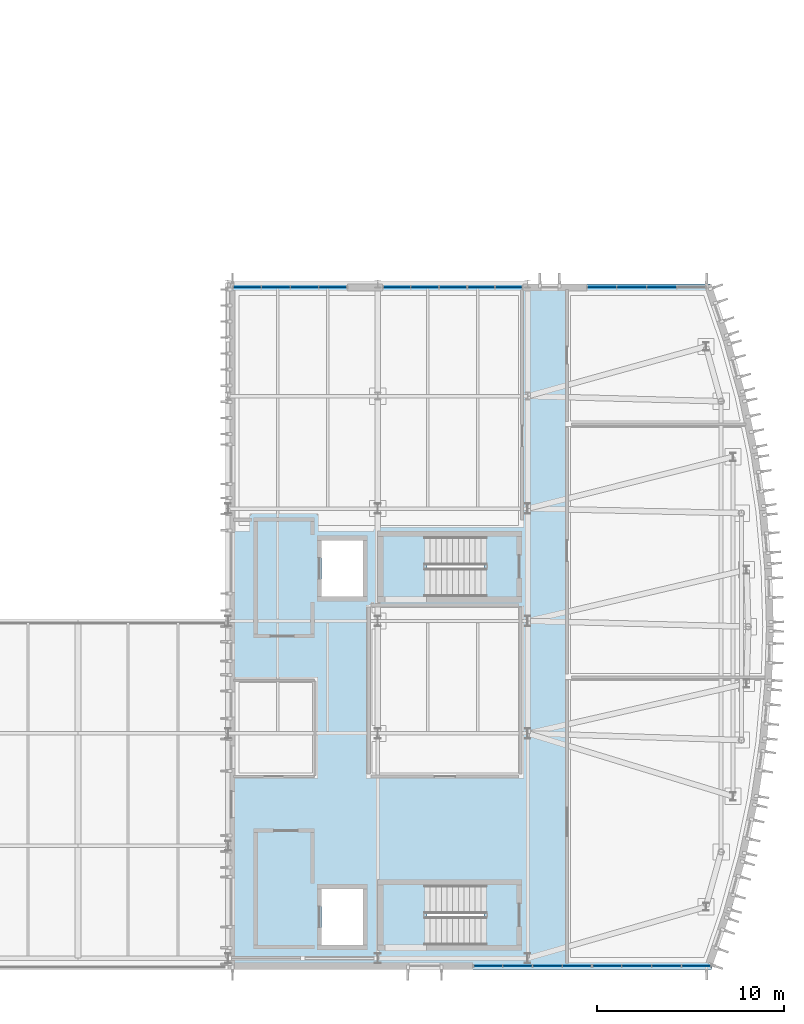
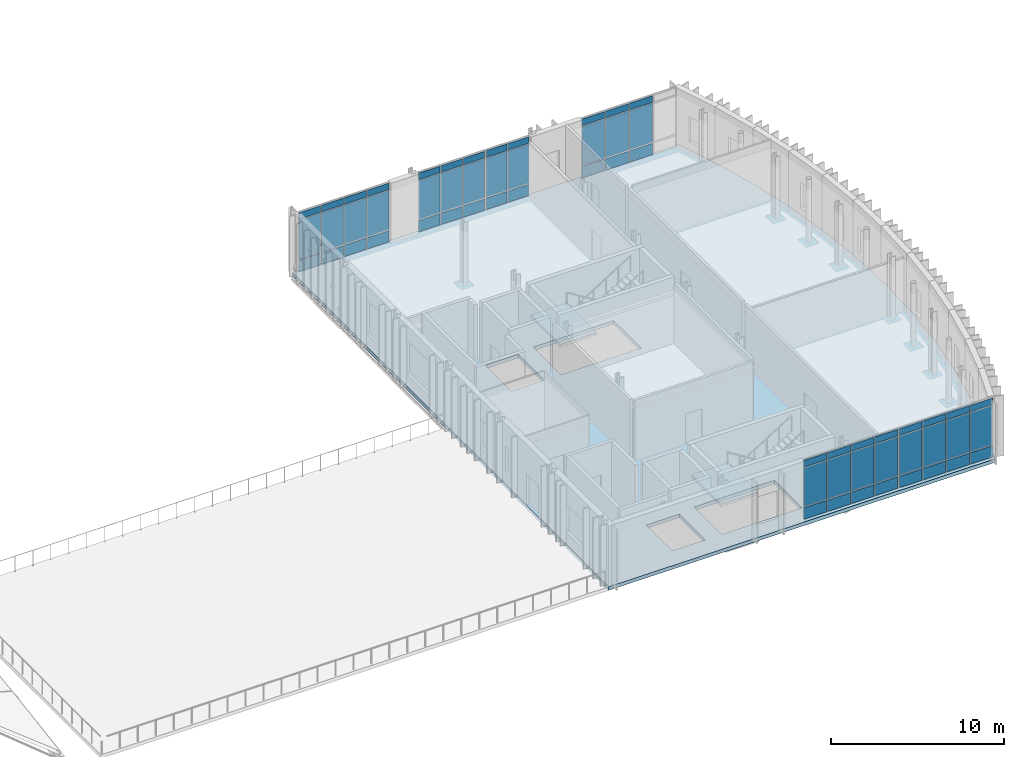
# One storey, part 36 of 62: 60 plates, 3 slabs, 8 elements without a shape of their own.
"""IFC4 building model written with IfcOpenShell, lengths in metres."""

from ifc_helpers import new_model, si_unit, direction, frame, origin, origin_2d, place, context, subcontext, project, spatial, polyline, rectangle, outline, extrude, material, layer, layer_set, type_object, element, aggregate, save


model = new_model("IFC4")

# Units and contexts
model_context = context("Model", 3, precision=1e-05, world=origin(), true_north=direction((0.0, 1.0)))
body_context = subcontext(model_context, "Body", "Model", "MODEL_VIEW")
ifc_project = project(units=[si_unit("LENGTHUNIT", "METRE"), si_unit("AREAUNIT", "SQUARE_METRE"), si_unit("VOLUMEUNIT", "CUBIC_METRE"), si_unit("PLANEANGLEUNIT", "RADIAN"), si_unit("MASSUNIT", "GRAM", prefix="KILO")], contexts=[model_context])

# Site, building, storey
site_placement = place(None, origin())
site = spatial("IfcSite", under=ifc_project, at=site_placement, CompositionType="ELEMENT")
building_placement = place(site_placement, origin())
building = spatial("IfcBuilding", under=site, at=building_placement, Name="Cymarion Research Institute", CompositionType="ELEMENT")
storey_placement = place(building_placement, frame((0.0, 0.0, 18.300048828125)))
storey = spatial("IfcBuildingStorey", under=building, at=storey_placement, Name="L04", CompositionType="ELEMENT", Elevation=18.300048828125)

# Slab
ifc_material_1 = material(Name="Concrete C35/45", Category="concrete")
ifc_layer_1 = layer(ifc_material_1, 0.25)
ifc_layer_set_1 = layer_set([ifc_layer_1], Name="Concrete C35/45")
slab_type_1 = type_object("IfcSlabType", Name="COMPOSITE FLOOR SLAB SL-FL250 250MM", PredefinedType="FLOOR", material=ifc_layer_set_1)
slab_1_placement = place(storey_placement, frame((0.0, 0.0, -0.25)))
element("IfcSlab", 1, at=slab_1_placement, inside=storey, type_object=slab_type_1, Name="L04 V1 floor slab", PredefinedType="FLOOR", context=body_context, shape_type="SweptSolid", body=[
    extrude(outline(polyline([(138.60009765625, 4.89990234375), (164.39990234375, 4.89990234375), (165.40869140625, 7.848388671875), (166.2392578125, 10.85205078125), (166.88818359375, 13.900146484375), (167.353271484375, 16.9814453125), (167.633056640625, 20.085205078125), (167.7265625, 23.199951171875), (167.633056640625, 26.31494140625), (167.353271484375, 29.418701171875), (166.88818359375, 32.5), (166.2392578125, 35.5478515625), (165.40869140625, 38.551513671875), (164.39990234375, 41.5), (138.60009765625, 41.5), (138.60009765625, 4.89990234375)]), holes=[polyline([(152.260009765625, 9.39990234375), (146.89990234375, 9.39990234375), (146.89990234375, 6.199951171875), (152.260009765625, 6.199951171875), (152.260009765625, 9.39990234375)]), polyline([(143.60009765625, 6.199951171875), (145.800048828125, 6.199951171875), (145.800048828125, 9.199951171875), (143.60009765625, 9.199951171875), (143.60009765625, 6.199951171875)]), polyline([(152.260009765625, 28.0), (146.89990234375, 28.0), (146.89990234375, 24.800048828125), (152.260009765625, 24.800048828125), (152.260009765625, 28.0)]), polyline([(143.60009765625, 24.800048828125), (145.800048828125, 24.800048828125), (145.800048828125, 27.800048828125), (143.60009765625, 27.800048828125), (143.60009765625, 24.800048828125)])]), origin(), (0.0, 0.0, 1.0), 0.25),
])

# Curtain wall, plates
ifc_material_2 = material(Name="Anodised aluminium unitised curtain wall with Low-E glazing", Category="aluminium")
curtain_wall_type_1 = type_object("IfcCurtainWallType", Name="UNITISED CURTAIN WALL CW35 6360X4280", PredefinedType="NOTDEFINED", material=ifc_material_2)
curtain_wall_1_placement = place(storey_placement, origin())
curtain_wall_1 = element("IfcCurtainWall", 2, at=curtain_wall_1_placement, inside=storey, type_object=curtain_wall_type_1, Name="L04 V1 unitised curtain wall CW35 #171", PredefinedType="NOTDEFINED")
ifc_material_3 = material(Name="Insulated anodised aluminium spandrel panel", Category="aluminium")
ifc_layer_2 = layer(ifc_material_3, 0.06005859375)
ifc_layer_set_2 = layer_set([ifc_layer_2], Name="Insulated anodised aluminium spandrel panel")
plate_type_1 = type_object("IfcPlateType", Name="INSULATED ALUMINIUM SPANDREL PANEL SP01 60MM", PredefinedType="SHEET", material=ifc_layer_set_2)
plate_1_placement = place(storey_placement, frame((152.490966796875, 5.090087890625, 0.059814453125), z_axis=(0.0, 0.0, 1.0), x_axis=(1.0, 0.0, 0.0)))
plate_1 = element("IfcPlate", 3, at=plate_1_placement, type_object=plate_type_1, Name="CW35 panel 1.1", PredefinedType="SHEET", context=body_context, shape_type="SweptSolid", body=[
    extrude(rectangle(XDim=1.499755859375, YDim=0.06005859375, at=origin_2d()), origin(), (0.0, 0.0, 1.0), 0.81005859375),
])
plate_2_placement = place(storey_placement, frame((152.490966796875, 5.090087890625, 3.760009765625), z_axis=(0.0, 0.0, 1.0), x_axis=(1.0, 0.0, 0.0)))
plate_2 = element("IfcPlate", 4, at=plate_2_placement, type_object=plate_type_1, Name="CW35 panel 1.3", PredefinedType="SHEET", context=body_context, shape_type="SweptSolid", body=[
    extrude(rectangle(XDim=1.499755859375, YDim=0.06005859375, at=origin_2d()), origin(), (0.0, 0.0, 1.0), 0.4599609375),
])
plate_3_placement = place(storey_placement, frame((154.06591796875, 5.090087890625, 0.059814453125), z_axis=(0.0, 0.0, 1.0), x_axis=(1.0, 0.0, 0.0)))
plate_3 = element("IfcPlate", 5, at=plate_3_placement, type_object=plate_type_1, Name="CW35 panel 2.1", PredefinedType="SHEET", context=body_context, shape_type="SweptSolid", body=[
    extrude(rectangle(XDim=1.52978515625, YDim=0.06005859375, at=origin_2d()), origin(), (0.0, 0.0, 1.0), 0.81005859375),
])
plate_4_placement = place(storey_placement, frame((154.06591796875, 5.090087890625, 3.760009765625), z_axis=(0.0, 0.0, 1.0), x_axis=(1.0, 0.0, 0.0)))
plate_4 = element("IfcPlate", 6, at=plate_4_placement, type_object=plate_type_1, Name="CW35 panel 2.3", PredefinedType="SHEET", context=body_context, shape_type="SweptSolid", body=[
    extrude(rectangle(XDim=1.52978515625, YDim=0.06005859375, at=origin_2d()), origin(), (0.0, 0.0, 1.0), 0.4599609375),
])
plate_5_placement = place(storey_placement, frame((155.65576171875, 5.090087890625, 0.059814453125), z_axis=(0.0, 0.0, 1.0), x_axis=(1.0, 0.0, 0.0)))
plate_5 = element("IfcPlate", 7, at=plate_5_placement, type_object=plate_type_1, Name="CW35 panel 3.1", PredefinedType="SHEET", context=body_context, shape_type="SweptSolid", body=[
    extrude(rectangle(XDim=1.52978515625, YDim=0.06005859375, at=origin_2d()), origin(), (0.0, 0.0, 1.0), 0.81005859375),
])
plate_6_placement = place(storey_placement, frame((155.65576171875, 5.090087890625, 3.760009765625), z_axis=(0.0, 0.0, 1.0), x_axis=(1.0, 0.0, 0.0)))
plate_6 = element("IfcPlate", 8, at=plate_6_placement, type_object=plate_type_1, Name="CW35 panel 3.3", PredefinedType="SHEET", context=body_context, shape_type="SweptSolid", body=[
    extrude(rectangle(XDim=1.52978515625, YDim=0.06005859375, at=origin_2d()), origin(), (0.0, 0.0, 1.0), 0.4599609375),
])
plate_7_placement = place(storey_placement, frame((157.23046875, 5.090087890625, 0.059814453125), z_axis=(0.0, 0.0, 1.0), x_axis=(1.0, 0.0, 0.0)))
plate_7 = element("IfcPlate", 9, at=plate_7_placement, type_object=plate_type_1, Name="CW35 panel 4.1", PredefinedType="SHEET", context=body_context, shape_type="SweptSolid", body=[
    extrude(rectangle(XDim=1.499755859375, YDim=0.06005859375, at=origin_2d()), origin(), (0.0, 0.0, 1.0), 0.81005859375),
])
plate_8_placement = place(storey_placement, frame((157.23046875, 5.090087890625, 3.760009765625), z_axis=(0.0, 0.0, 1.0), x_axis=(1.0, 0.0, 0.0)))
plate_8 = element("IfcPlate", 10, at=plate_8_placement, type_object=plate_type_1, Name="CW35 panel 4.3", PredefinedType="SHEET", context=body_context, shape_type="SweptSolid", body=[
    extrude(rectangle(XDim=1.499755859375, YDim=0.06005859375, at=origin_2d()), origin(), (0.0, 0.0, 1.0), 0.4599609375),
])

curtain_wall_2_placement = place(storey_placement, origin())
curtain_wall_2 = element("IfcCurtainWall", 11, at=curtain_wall_2_placement, inside=storey, type_object=curtain_wall_type_1, Name="L04 V1 unitised curtain wall CW35 #172", PredefinedType="NOTDEFINED")
plate_9_placement = place(storey_placement, frame((158.850341796875, 5.090087890625, 0.059814453125), z_axis=(0.0, 0.0, 1.0), x_axis=(1.0, 0.0, 0.0)))
plate_9 = element("IfcPlate", 12, at=plate_9_placement, type_object=plate_type_1, Name="CW35 panel 1.1", PredefinedType="SHEET", context=body_context, shape_type="SweptSolid", body=[
    extrude(rectangle(XDim=1.499755859375, YDim=0.06005859375, at=origin_2d()), origin(), (0.0, 0.0, 1.0), 0.81005859375),
])
plate_10_placement = place(storey_placement, frame((158.850341796875, 5.090087890625, 3.760009765625), z_axis=(0.0, 0.0, 1.0), x_axis=(1.0, 0.0, 0.0)))
plate_10 = element("IfcPlate", 13, at=plate_10_placement, type_object=plate_type_1, Name="CW35 panel 1.3", PredefinedType="SHEET", context=body_context, shape_type="SweptSolid", body=[
    extrude(rectangle(XDim=1.499755859375, YDim=0.06005859375, at=origin_2d()), origin(), (0.0, 0.0, 1.0), 0.4599609375),
])
plate_11_placement = place(storey_placement, frame((160.42529296875, 5.090087890625, 0.059814453125), z_axis=(0.0, 0.0, 1.0), x_axis=(1.0, 0.0, 0.0)))
plate_11 = element("IfcPlate", 14, at=plate_11_placement, type_object=plate_type_1, Name="CW35 panel 2.1", PredefinedType="SHEET", context=body_context, shape_type="SweptSolid", body=[
    extrude(rectangle(XDim=1.52978515625, YDim=0.06005859375, at=origin_2d()), origin(), (0.0, 0.0, 1.0), 0.81005859375),
])
plate_12_placement = place(storey_placement, frame((160.42529296875, 5.090087890625, 3.760009765625), z_axis=(0.0, 0.0, 1.0), x_axis=(1.0, 0.0, 0.0)))
plate_12 = element("IfcPlate", 15, at=plate_12_placement, type_object=plate_type_1, Name="CW35 panel 2.3", PredefinedType="SHEET", context=body_context, shape_type="SweptSolid", body=[
    extrude(rectangle(XDim=1.52978515625, YDim=0.06005859375, at=origin_2d()), origin(), (0.0, 0.0, 1.0), 0.4599609375),
])
plate_13_placement = place(storey_placement, frame((162.01513671875, 5.090087890625, 0.059814453125), z_axis=(0.0, 0.0, 1.0), x_axis=(1.0, 0.0, 0.0)))
plate_13 = element("IfcPlate", 16, at=plate_13_placement, type_object=plate_type_1, Name="CW35 panel 3.1", PredefinedType="SHEET", context=body_context, shape_type="SweptSolid", body=[
    extrude(rectangle(XDim=1.52978515625, YDim=0.06005859375, at=origin_2d()), origin(), (0.0, 0.0, 1.0), 0.81005859375),
])
plate_14_placement = place(storey_placement, frame((162.01513671875, 5.090087890625, 3.760009765625), z_axis=(0.0, 0.0, 1.0), x_axis=(1.0, 0.0, 0.0)))
plate_14 = element("IfcPlate", 17, at=plate_14_placement, type_object=plate_type_1, Name="CW35 panel 3.3", PredefinedType="SHEET", context=body_context, shape_type="SweptSolid", body=[
    extrude(rectangle(XDim=1.52978515625, YDim=0.06005859375, at=origin_2d()), origin(), (0.0, 0.0, 1.0), 0.4599609375),
])
plate_15_placement = place(storey_placement, frame((163.590087890625, 5.090087890625, 0.059814453125), z_axis=(0.0, 0.0, 1.0), x_axis=(1.0, 0.0, 0.0)))
plate_15 = element("IfcPlate", 18, at=plate_15_placement, type_object=plate_type_1, Name="CW35 panel 4.1", PredefinedType="SHEET", context=body_context, shape_type="SweptSolid", body=[
    extrude(rectangle(XDim=1.499755859375, YDim=0.06005859375, at=origin_2d()), origin(), (0.0, 0.0, 1.0), 0.81005859375),
])
plate_16_placement = place(storey_placement, frame((163.590087890625, 5.090087890625, 3.760009765625), z_axis=(0.0, 0.0, 1.0), x_axis=(1.0, 0.0, 0.0)))
plate_16 = element("IfcPlate", 19, at=plate_16_placement, type_object=plate_type_1, Name="CW35 panel 4.3", PredefinedType="SHEET", context=body_context, shape_type="SweptSolid", body=[
    extrude(rectangle(XDim=1.499755859375, YDim=0.06005859375, at=origin_2d()), origin(), (0.0, 0.0, 1.0), 0.4599609375),
])

curtain_wall_type_2 = type_object("IfcCurtainWallType", Name="UNITISED CURTAIN WALL CW36 6390X4280", PredefinedType="NOTDEFINED", material=ifc_material_2)
curtain_wall_3_placement = place(storey_placement, origin())
curtain_wall_3 = element("IfcCurtainWall", 20, at=curtain_wall_3_placement, inside=storey, type_object=curtain_wall_type_2, Name="L04 V1 unitised curtain wall CW36 #173", PredefinedType="NOTDEFINED")
plate_17_placement = place(storey_placement, frame((161.75146484375, 41.31005859375, 0.059814453125), z_axis=(0.0, 0.0, 1.0), x_axis=(-1.0, 0.0, 0.0)))
plate_17 = element("IfcPlate", 21, at=plate_17_placement, type_object=plate_type_1, Name="CW36 panel 2.1", PredefinedType="SHEET", context=body_context, shape_type="SweptSolid", body=[
    extrude(rectangle(XDim=1.53662109375, YDim=0.06005859375, at=origin_2d()), origin(), (0.0, 0.0, 1.0), 0.81005859375),
])
plate_18_placement = place(storey_placement, frame((161.75146484375, 41.31005859375, 3.760009765625), z_axis=(0.0, 0.0, 1.0), x_axis=(-1.0, 0.0, 0.0)))
plate_18 = element("IfcPlate", 22, at=plate_18_placement, type_object=plate_type_1, Name="CW36 panel 2.3", PredefinedType="SHEET", context=body_context, shape_type="SweptSolid", body=[
    extrude(rectangle(XDim=1.53662109375, YDim=0.06005859375, at=origin_2d()), origin(), (0.0, 0.0, 1.0), 0.4599609375),
])
plate_19_placement = place(storey_placement, frame((160.15478515625, 41.31005859375, 0.059814453125), z_axis=(0.0, 0.0, 1.0), x_axis=(-1.0, 0.0, 0.0)))
plate_19 = element("IfcPlate", 23, at=plate_19_placement, type_object=plate_type_1, Name="CW36 panel 3.1", PredefinedType="SHEET", context=body_context, shape_type="SweptSolid", body=[
    extrude(rectangle(XDim=1.53662109375, YDim=0.06005859375, at=origin_2d()), origin(), (0.0, 0.0, 1.0), 0.81005859375),
])
plate_20_placement = place(storey_placement, frame((160.15478515625, 41.31005859375, 3.760009765625), z_axis=(0.0, 0.0, 1.0), x_axis=(-1.0, 0.0, 0.0)))
plate_20 = element("IfcPlate", 24, at=plate_20_placement, type_object=plate_type_1, Name="CW36 panel 3.3", PredefinedType="SHEET", context=body_context, shape_type="SweptSolid", body=[
    extrude(rectangle(XDim=1.53662109375, YDim=0.06005859375, at=origin_2d()), origin(), (0.0, 0.0, 1.0), 0.4599609375),
])
plate_21_placement = place(storey_placement, frame((158.5732421875, 41.31005859375, 0.059814453125), z_axis=(0.0, 0.0, 1.0), x_axis=(-1.0, 0.0, 0.0)))
plate_21 = element("IfcPlate", 25, at=plate_21_placement, type_object=plate_type_1, Name="CW36 panel 4.1", PredefinedType="SHEET", context=body_context, shape_type="SweptSolid", body=[
    extrude(rectangle(XDim=1.506591796875, YDim=0.06005859375, at=origin_2d()), origin(), (0.0, 0.0, 1.0), 0.81005859375),
])
plate_22_placement = place(storey_placement, frame((158.5732421875, 41.31005859375, 3.760009765625), z_axis=(0.0, 0.0, 1.0), x_axis=(-1.0, 0.0, 0.0)))
plate_22 = element("IfcPlate", 26, at=plate_22_placement, type_object=plate_type_1, Name="CW36 panel 4.3", PredefinedType="SHEET", context=body_context, shape_type="SweptSolid", body=[
    extrude(rectangle(XDim=1.506591796875, YDim=0.06005859375, at=origin_2d()), origin(), (0.0, 0.0, 1.0), 0.4599609375),
])

curtain_wall_type_3 = type_object("IfcCurtainWallType", Name="UNITISED CURTAIN WALL CW37 2970X4280", PredefinedType="NOTDEFINED", material=ifc_material_2)
curtain_wall_4_placement = place(storey_placement, origin())
curtain_wall_4 = element("IfcCurtainWall", 27, at=curtain_wall_4_placement, inside=storey, type_object=curtain_wall_type_3, Name="L04 V1 unitised curtain wall CW37 #174", PredefinedType="NOTDEFINED")
plate_23_placement = place(storey_placement, frame((153.583251953125, 41.31005859375, 0.059814453125), z_axis=(0.0, 0.0, 1.0), x_axis=(-1.0, 0.0, 0.0)))
plate_23 = element("IfcPlate", 28, at=plate_23_placement, type_object=plate_type_1, Name="CW37 panel 1.1", PredefinedType="SHEET", context=body_context, shape_type="SweptSolid", body=[
    extrude(rectangle(XDim=1.393310546875, YDim=0.06005859375, at=origin_2d()), origin(), (0.0, 0.0, 1.0), 0.81005859375),
])
plate_24_placement = place(storey_placement, frame((153.583251953125, 41.31005859375, 3.760009765625), z_axis=(0.0, 0.0, 1.0), x_axis=(-1.0, 0.0, 0.0)))
plate_24 = element("IfcPlate", 29, at=plate_24_placement, type_object=plate_type_1, Name="CW37 panel 1.3", PredefinedType="SHEET", context=body_context, shape_type="SweptSolid", body=[
    extrude(rectangle(XDim=1.393310546875, YDim=0.06005859375, at=origin_2d()), origin(), (0.0, 0.0, 1.0), 0.4599609375),
])
plate_25_placement = place(storey_placement, frame((152.1298828125, 41.31005859375, 0.059814453125), z_axis=(0.0, 0.0, 1.0), x_axis=(-1.0, 0.0, 0.0)))
plate_25 = element("IfcPlate", 30, at=plate_25_placement, type_object=plate_type_1, Name="CW37 panel 2.1", PredefinedType="SHEET", context=body_context, shape_type="SweptSolid", body=[
    extrude(rectangle(XDim=1.393310546875, YDim=0.06005859375, at=origin_2d()), origin(), (0.0, 0.0, 1.0), 0.81005859375),
])
plate_26_placement = place(storey_placement, frame((152.1298828125, 41.31005859375, 3.760009765625), z_axis=(0.0, 0.0, 1.0), x_axis=(-1.0, 0.0, 0.0)))
plate_26 = element("IfcPlate", 31, at=plate_26_placement, type_object=plate_type_1, Name="CW37 panel 2.3", PredefinedType="SHEET", context=body_context, shape_type="SweptSolid", body=[
    extrude(rectangle(XDim=1.393310546875, YDim=0.06005859375, at=origin_2d()), origin(), (0.0, 0.0, 1.0), 0.4599609375),
])

curtain_wall_type_4 = type_object("IfcCurtainWallType", Name="UNITISED CURTAIN WALL CW38 4510X4280", PredefinedType="NOTDEFINED", material=ifc_material_2)
curtain_wall_5_placement = place(storey_placement, origin())
curtain_wall_5 = element("IfcCurtainWall", 32, at=curtain_wall_5_placement, inside=storey, type_object=curtain_wall_type_4, Name="L04 V1 unitised curtain wall CW38 #175", PredefinedType="NOTDEFINED")
plate_27_placement = place(storey_placement, frame((150.60595703125, 41.31005859375, 0.059814453125), z_axis=(0.0, 0.0, 1.0), x_axis=(-1.0, 0.0, 0.0)))
plate_27 = element("IfcPlate", 33, at=plate_27_placement, type_object=plate_type_1, Name="CW38 panel 1.1", PredefinedType="SHEET", context=body_context, shape_type="SweptSolid", body=[
    extrude(rectangle(XDim=1.414306640625, YDim=0.06005859375, at=origin_2d()), origin(), (0.0, 0.0, 1.0), 0.81005859375),
])
plate_28_placement = place(storey_placement, frame((150.60595703125, 41.31005859375, 3.760009765625), z_axis=(0.0, 0.0, 1.0), x_axis=(-1.0, 0.0, 0.0)))
plate_28 = element("IfcPlate", 34, at=plate_28_placement, type_object=plate_type_1, Name="CW38 panel 1.3", PredefinedType="SHEET", context=body_context, shape_type="SweptSolid", body=[
    extrude(rectangle(XDim=1.414306640625, YDim=0.06005859375, at=origin_2d()), origin(), (0.0, 0.0, 1.0), 0.4599609375),
])
plate_29_placement = place(storey_placement, frame((149.11669921875, 41.31005859375, 0.059814453125), z_axis=(0.0, 0.0, 1.0), x_axis=(-1.0, 0.0, 0.0)))
plate_29 = element("IfcPlate", 35, at=plate_29_placement, type_object=plate_type_1, Name="CW38 panel 2.1", PredefinedType="SHEET", context=body_context, shape_type="SweptSolid", body=[
    extrude(rectangle(XDim=1.4443359375, YDim=0.06005859375, at=origin_2d()), origin(), (0.0, 0.0, 1.0), 0.81005859375),
])
plate_30_placement = place(storey_placement, frame((149.11669921875, 41.31005859375, 3.760009765625), z_axis=(0.0, 0.0, 1.0), x_axis=(-1.0, 0.0, 0.0)))
plate_30 = element("IfcPlate", 36, at=plate_30_placement, type_object=plate_type_1, Name="CW38 panel 2.3", PredefinedType="SHEET", context=body_context, shape_type="SweptSolid", body=[
    extrude(rectangle(XDim=1.4443359375, YDim=0.06005859375, at=origin_2d()), origin(), (0.0, 0.0, 1.0), 0.4599609375),
])
plate_31_placement = place(storey_placement, frame((147.627197265625, 41.31005859375, 0.059814453125), z_axis=(0.0, 0.0, 1.0), x_axis=(-1.0, 0.0, 0.0)))
plate_31 = element("IfcPlate", 37, at=plate_31_placement, type_object=plate_type_1, Name="CW38 panel 3.1", PredefinedType="SHEET", context=body_context, shape_type="SweptSolid", body=[
    extrude(rectangle(XDim=1.414306640625, YDim=0.06005859375, at=origin_2d()), origin(), (0.0, 0.0, 1.0), 0.81005859375),
])
plate_32_placement = place(storey_placement, frame((147.627197265625, 41.31005859375, 3.760009765625), z_axis=(0.0, 0.0, 1.0), x_axis=(-1.0, 0.0, 0.0)))
plate_32 = element("IfcPlate", 38, at=plate_32_placement, type_object=plate_type_1, Name="CW38 panel 3.3", PredefinedType="SHEET", context=body_context, shape_type="SweptSolid", body=[
    extrude(rectangle(XDim=1.414306640625, YDim=0.06005859375, at=origin_2d()), origin(), (0.0, 0.0, 1.0), 0.4599609375),
])

curtain_wall_type_5 = type_object("IfcCurtainWallType", Name="UNITISED CURTAIN WALL CW39 6130X4280", PredefinedType="NOTDEFINED", material=ifc_material_2)
curtain_wall_6_placement = place(storey_placement, origin())
curtain_wall_6 = element("IfcCurtainWall", 39, at=curtain_wall_6_placement, inside=storey, type_object=curtain_wall_type_5, Name="L04 V1 unitised curtain wall CW39 #176", PredefinedType="NOTDEFINED")
plate_33_placement = place(storey_placement, frame((144.205810546875, 41.31005859375, 0.059814453125), z_axis=(0.0, 0.0, 1.0), x_axis=(-1.0, 0.0, 0.0)))
plate_33 = element("IfcPlate", 40, at=plate_33_placement, type_object=plate_type_1, Name="CW39 panel 1.1", PredefinedType="SHEET", context=body_context, shape_type="SweptSolid", body=[
    extrude(rectangle(XDim=1.441650390625, YDim=0.06005859375, at=origin_2d()), origin(), (0.0, 0.0, 1.0), 0.81005859375),
])
plate_34_placement = place(storey_placement, frame((144.205810546875, 41.31005859375, 3.760009765625), z_axis=(0.0, 0.0, 1.0), x_axis=(-1.0, 0.0, 0.0)))
plate_34 = element("IfcPlate", 41, at=plate_34_placement, type_object=plate_type_1, Name="CW39 panel 1.3", PredefinedType="SHEET", context=body_context, shape_type="SweptSolid", body=[
    extrude(rectangle(XDim=1.441650390625, YDim=0.06005859375, at=origin_2d()), origin(), (0.0, 0.0, 1.0), 0.4599609375),
])
plate_35_placement = place(storey_placement, frame((142.689208984375, 41.31005859375, 0.059814453125), z_axis=(0.0, 0.0, 1.0), x_axis=(-1.0, 0.0, 0.0)))
plate_35 = element("IfcPlate", 42, at=plate_35_placement, type_object=plate_type_1, Name="CW39 panel 2.1", PredefinedType="SHEET", context=body_context, shape_type="SweptSolid", body=[
    extrude(rectangle(XDim=1.4716796875, YDim=0.06005859375, at=origin_2d()), origin(), (0.0, 0.0, 1.0), 0.81005859375),
])
plate_36_placement = place(storey_placement, frame((142.689208984375, 41.31005859375, 3.760009765625), z_axis=(0.0, 0.0, 1.0), x_axis=(-1.0, 0.0, 0.0)))
plate_36 = element("IfcPlate", 43, at=plate_36_placement, type_object=plate_type_1, Name="CW39 panel 2.3", PredefinedType="SHEET", context=body_context, shape_type="SweptSolid", body=[
    extrude(rectangle(XDim=1.4716796875, YDim=0.06005859375, at=origin_2d()), origin(), (0.0, 0.0, 1.0), 0.4599609375),
])
plate_37_placement = place(storey_placement, frame((141.157470703125, 41.31005859375, 0.059814453125), z_axis=(0.0, 0.0, 1.0), x_axis=(-1.0, 0.0, 0.0)))
plate_37 = element("IfcPlate", 44, at=plate_37_placement, type_object=plate_type_1, Name="CW39 panel 3.1", PredefinedType="SHEET", context=body_context, shape_type="SweptSolid", body=[
    extrude(rectangle(XDim=1.4716796875, YDim=0.06005859375, at=origin_2d()), origin(), (0.0, 0.0, 1.0), 0.81005859375),
])
plate_38_placement = place(storey_placement, frame((141.157470703125, 41.31005859375, 3.760009765625), z_axis=(0.0, 0.0, 1.0), x_axis=(-1.0, 0.0, 0.0)))
plate_38 = element("IfcPlate", 45, at=plate_38_placement, type_object=plate_type_1, Name="CW39 panel 3.3", PredefinedType="SHEET", context=body_context, shape_type="SweptSolid", body=[
    extrude(rectangle(XDim=1.4716796875, YDim=0.06005859375, at=origin_2d()), origin(), (0.0, 0.0, 1.0), 0.4599609375),
])
plate_39_placement = place(storey_placement, frame((139.640869140625, 41.31005859375, 0.059814453125), z_axis=(0.0, 0.0, 1.0), x_axis=(-1.0, 0.0, 0.0)))
plate_39 = element("IfcPlate", 46, at=plate_39_placement, type_object=plate_type_1, Name="CW39 panel 4.1", PredefinedType="SHEET", context=body_context, shape_type="SweptSolid", body=[
    extrude(rectangle(XDim=1.441650390625, YDim=0.06005859375, at=origin_2d()), origin(), (0.0, 0.0, 1.0), 0.81005859375),
])
plate_40_placement = place(storey_placement, frame((139.640869140625, 41.31005859375, 3.760009765625), z_axis=(0.0, 0.0, 1.0), x_axis=(-1.0, 0.0, 0.0)))
plate_40 = element("IfcPlate", 47, at=plate_40_placement, type_object=plate_type_1, Name="CW39 panel 4.3", PredefinedType="SHEET", context=body_context, shape_type="SweptSolid", body=[
    extrude(rectangle(XDim=1.441650390625, YDim=0.06005859375, at=origin_2d()), origin(), (0.0, 0.0, 1.0), 0.4599609375),
])

# Stair, slab
stair_type = type_object("IfcStairType", Name="REINFORCED CONCRETE DOGLEG STAIR STR-4500", PredefinedType="HALF_TURN_STAIR", material=ifc_material_1)
stair_1_placement = place(storey_placement, origin())
stair_1 = element("IfcStair", 48, at=stair_1_placement, inside=storey, type_object=stair_type, Name="L04 Core C1 Smoke-Proof Exit Stair ST1", PredefinedType="HALF_TURN_STAIR")
ifc_layer_3 = layer(ifc_material_1, 0.199951171875)
ifc_layer_set_3 = layer_set([ifc_layer_3], Name="Concrete C35/45")
slab_type_2 = type_object("IfcSlabType", Name="REINFORCED CONCRETE STAIR LANDING LDG200", PredefinedType="LANDING", material=ifc_layer_set_3)
slab_2_placement = place(storey_placement, frame((0.0, 0.0, 2.050048828125)))
slab_2 = element("IfcSlab", 49, at=slab_2_placement, type_object=slab_type_2, Name="ST1 landing 1", PredefinedType="LANDING", context=body_context, shape_type="SweptSolid", body=[
    extrude(outline(polyline([(149.219970703125, 9.52001953125), (149.219970703125, 6.080078125), (146.780029296875, 6.080078125), (146.780029296875, 9.52001953125), (149.219970703125, 9.52001953125)])), origin(), (0.0, 0.0, 1.0), 0.199951171875),
])
aggregate(stair_1, [slab_2])

stair_2_placement = place(storey_placement, origin())
stair_2 = element("IfcStair", 50, at=stair_2_placement, inside=storey, type_object=stair_type, Name="L04 Core C2 Smoke-Proof Exit Stair ST2", PredefinedType="HALF_TURN_STAIR")
slab_3_placement = place(storey_placement, frame((0.0, 0.0, 2.050048828125)))
slab_3 = element("IfcSlab", 51, at=slab_3_placement, type_object=slab_type_2, Name="ST2 landing 1", PredefinedType="LANDING", context=body_context, shape_type="SweptSolid", body=[
    extrude(outline(polyline([(149.219970703125, 28.1201171875), (149.219970703125, 24.679931640625), (146.780029296875, 24.679931640625), (146.780029296875, 28.1201171875), (149.219970703125, 28.1201171875)])), origin(), (0.0, 0.0, 1.0), 0.199951171875),
])
aggregate(stair_2, [slab_3])

# Plate
ifc_material_4 = material(Name="Low-E double solar-control glazing", Category="glass")
ifc_layer_4 = layer(ifc_material_4, 0.035888671875)
ifc_layer_set_4 = layer_set([ifc_layer_4], Name="Low-E double solar-control glazing")
plate_type_2 = type_object("IfcPlateType", Name="SOLAR CONTROL GLAZED VISION PANEL GP01 36MM", PredefinedType="CURTAIN_PANEL", material=ifc_layer_set_4)
plate_41_placement = place(storey_placement, frame((152.490966796875, 5.090087890625, 0.929931640625), z_axis=(0.0, 0.0, 1.0), x_axis=(1.0, 0.0, 0.0)))
plate_41 = element("IfcPlate", 52, at=plate_41_placement, type_object=plate_type_2, Name="CW35 panel 1.2", PredefinedType="CURTAIN_PANEL", context=body_context, shape_type="SweptSolid", body=[
    extrude(rectangle(XDim=1.499755859375, YDim=0.035888671875, at=origin_2d()), origin(), (0.0, 0.0, 1.0), 2.77001953125),
])

plate_42_placement = place(storey_placement, frame((154.06591796875, 5.090087890625, 0.929931640625), z_axis=(0.0, 0.0, 1.0), x_axis=(1.0, 0.0, 0.0)))
plate_42 = element("IfcPlate", 53, at=plate_42_placement, type_object=plate_type_2, Name="CW35 panel 2.2", PredefinedType="CURTAIN_PANEL", context=body_context, shape_type="SweptSolid", body=[
    extrude(rectangle(XDim=1.52978515625, YDim=0.035888671875, at=origin_2d()), origin(), (0.0, 0.0, 1.0), 2.77001953125),
])

plate_43_placement = place(storey_placement, frame((155.65576171875, 5.090087890625, 0.929931640625), z_axis=(0.0, 0.0, 1.0), x_axis=(1.0, 0.0, 0.0)))
plate_43 = element("IfcPlate", 54, at=plate_43_placement, type_object=plate_type_2, Name="CW35 panel 3.2", PredefinedType="CURTAIN_PANEL", context=body_context, shape_type="SweptSolid", body=[
    extrude(rectangle(XDim=1.52978515625, YDim=0.035888671875, at=origin_2d()), origin(), (0.0, 0.0, 1.0), 2.77001953125),
])

plate_44_placement = place(storey_placement, frame((157.23046875, 5.090087890625, 0.929931640625), z_axis=(0.0, 0.0, 1.0), x_axis=(1.0, 0.0, 0.0)))
plate_44 = element("IfcPlate", 55, at=plate_44_placement, type_object=plate_type_2, Name="CW35 panel 4.2", PredefinedType="CURTAIN_PANEL", context=body_context, shape_type="SweptSolid", body=[
    extrude(rectangle(XDim=1.499755859375, YDim=0.035888671875, at=origin_2d()), origin(), (0.0, 0.0, 1.0), 2.77001953125),
])

aggregate(curtain_wall_1, [plate_1, plate_41, plate_2, plate_3, plate_42, plate_4, plate_5, plate_43, plate_6, plate_7, plate_44, plate_8])

plate_45_placement = place(storey_placement, frame((158.850341796875, 5.090087890625, 0.929931640625), z_axis=(0.0, 0.0, 1.0), x_axis=(1.0, 0.0, 0.0)))
plate_45 = element("IfcPlate", 56, at=plate_45_placement, type_object=plate_type_2, Name="CW35 panel 1.2", PredefinedType="CURTAIN_PANEL", context=body_context, shape_type="SweptSolid", body=[
    extrude(rectangle(XDim=1.499755859375, YDim=0.035888671875, at=origin_2d()), origin(), (0.0, 0.0, 1.0), 2.77001953125),
])

plate_46_placement = place(storey_placement, frame((160.42529296875, 5.090087890625, 0.929931640625), z_axis=(0.0, 0.0, 1.0), x_axis=(1.0, 0.0, 0.0)))
plate_46 = element("IfcPlate", 57, at=plate_46_placement, type_object=plate_type_2, Name="CW35 panel 2.2", PredefinedType="CURTAIN_PANEL", context=body_context, shape_type="SweptSolid", body=[
    extrude(rectangle(XDim=1.52978515625, YDim=0.035888671875, at=origin_2d()), origin(), (0.0, 0.0, 1.0), 2.77001953125),
])

plate_47_placement = place(storey_placement, frame((162.01513671875, 5.090087890625, 0.929931640625), z_axis=(0.0, 0.0, 1.0), x_axis=(1.0, 0.0, 0.0)))
plate_47 = element("IfcPlate", 58, at=plate_47_placement, type_object=plate_type_2, Name="CW35 panel 3.2", PredefinedType="CURTAIN_PANEL", context=body_context, shape_type="SweptSolid", body=[
    extrude(rectangle(XDim=1.52978515625, YDim=0.035888671875, at=origin_2d()), origin(), (0.0, 0.0, 1.0), 2.77001953125),
])

plate_48_placement = place(storey_placement, frame((163.590087890625, 5.090087890625, 0.929931640625), z_axis=(0.0, 0.0, 1.0), x_axis=(1.0, 0.0, 0.0)))
plate_48 = element("IfcPlate", 59, at=plate_48_placement, type_object=plate_type_2, Name="CW35 panel 4.2", PredefinedType="CURTAIN_PANEL", context=body_context, shape_type="SweptSolid", body=[
    extrude(rectangle(XDim=1.499755859375, YDim=0.035888671875, at=origin_2d()), origin(), (0.0, 0.0, 1.0), 2.77001953125),
])

aggregate(curtain_wall_2, [plate_9, plate_45, plate_10, plate_11, plate_46, plate_12, plate_13, plate_47, plate_14, plate_15, plate_48, plate_16])

plate_49_placement = place(storey_placement, frame((161.75146484375, 41.31005859375, 0.929931640625), z_axis=(0.0, 0.0, 1.0), x_axis=(-1.0, 0.0, 0.0)))
plate_49 = element("IfcPlate", 60, at=plate_49_placement, type_object=plate_type_2, Name="CW36 panel 2.2", PredefinedType="CURTAIN_PANEL", context=body_context, shape_type="SweptSolid", body=[
    extrude(rectangle(XDim=1.53662109375, YDim=0.035888671875, at=origin_2d()), origin(), (0.0, 0.0, 1.0), 2.77001953125),
])

plate_50_placement = place(storey_placement, frame((160.15478515625, 41.31005859375, 0.929931640625), z_axis=(0.0, 0.0, 1.0), x_axis=(-1.0, 0.0, 0.0)))
plate_50 = element("IfcPlate", 61, at=plate_50_placement, type_object=plate_type_2, Name="CW36 panel 3.2", PredefinedType="CURTAIN_PANEL", context=body_context, shape_type="SweptSolid", body=[
    extrude(rectangle(XDim=1.53662109375, YDim=0.035888671875, at=origin_2d()), origin(), (0.0, 0.0, 1.0), 2.77001953125),
])

plate_51_placement = place(storey_placement, frame((158.5732421875, 41.31005859375, 0.929931640625), z_axis=(0.0, 0.0, 1.0), x_axis=(-1.0, 0.0, 0.0)))
plate_51 = element("IfcPlate", 62, at=plate_51_placement, type_object=plate_type_2, Name="CW36 panel 4.2", PredefinedType="CURTAIN_PANEL", context=body_context, shape_type="SweptSolid", body=[
    extrude(rectangle(XDim=1.506591796875, YDim=0.035888671875, at=origin_2d()), origin(), (0.0, 0.0, 1.0), 2.77001953125),
])

aggregate(curtain_wall_3, [plate_17, plate_49, plate_18, plate_19, plate_50, plate_20, plate_21, plate_51, plate_22])

plate_52_placement = place(storey_placement, frame((153.583251953125, 41.31005859375, 0.929931640625), z_axis=(0.0, 0.0, 1.0), x_axis=(-1.0, 0.0, 0.0)))
plate_52 = element("IfcPlate", 63, at=plate_52_placement, type_object=plate_type_2, Name="CW37 panel 1.2", PredefinedType="CURTAIN_PANEL", context=body_context, shape_type="SweptSolid", body=[
    extrude(rectangle(XDim=1.393310546875, YDim=0.035888671875, at=origin_2d()), origin(), (0.0, 0.0, 1.0), 2.77001953125),
])

plate_53_placement = place(storey_placement, frame((152.1298828125, 41.31005859375, 0.929931640625), z_axis=(0.0, 0.0, 1.0), x_axis=(-1.0, 0.0, 0.0)))
plate_53 = element("IfcPlate", 64, at=plate_53_placement, type_object=plate_type_2, Name="CW37 panel 2.2", PredefinedType="CURTAIN_PANEL", context=body_context, shape_type="SweptSolid", body=[
    extrude(rectangle(XDim=1.393310546875, YDim=0.035888671875, at=origin_2d()), origin(), (0.0, 0.0, 1.0), 2.77001953125),
])

aggregate(curtain_wall_4, [plate_23, plate_52, plate_24, plate_25, plate_53, plate_26])

plate_54_placement = place(storey_placement, frame((150.60595703125, 41.31005859375, 0.929931640625), z_axis=(0.0, 0.0, 1.0), x_axis=(-1.0, 0.0, 0.0)))
plate_54 = element("IfcPlate", 65, at=plate_54_placement, type_object=plate_type_2, Name="CW38 panel 1.2", PredefinedType="CURTAIN_PANEL", context=body_context, shape_type="SweptSolid", body=[
    extrude(rectangle(XDim=1.414306640625, YDim=0.035888671875, at=origin_2d()), origin(), (0.0, 0.0, 1.0), 2.77001953125),
])

plate_55_placement = place(storey_placement, frame((149.11669921875, 41.31005859375, 0.929931640625), z_axis=(0.0, 0.0, 1.0), x_axis=(-1.0, 0.0, 0.0)))
plate_55 = element("IfcPlate", 66, at=plate_55_placement, type_object=plate_type_2, Name="CW38 panel 2.2", PredefinedType="CURTAIN_PANEL", context=body_context, shape_type="SweptSolid", body=[
    extrude(rectangle(XDim=1.4443359375, YDim=0.035888671875, at=origin_2d()), origin(), (0.0, 0.0, 1.0), 2.77001953125),
])

plate_56_placement = place(storey_placement, frame((147.627197265625, 41.31005859375, 0.929931640625), z_axis=(0.0, 0.0, 1.0), x_axis=(-1.0, 0.0, 0.0)))
plate_56 = element("IfcPlate", 67, at=plate_56_placement, type_object=plate_type_2, Name="CW38 panel 3.2", PredefinedType="CURTAIN_PANEL", context=body_context, shape_type="SweptSolid", body=[
    extrude(rectangle(XDim=1.414306640625, YDim=0.035888671875, at=origin_2d()), origin(), (0.0, 0.0, 1.0), 2.77001953125),
])

aggregate(curtain_wall_5, [plate_27, plate_54, plate_28, plate_29, plate_55, plate_30, plate_31, plate_56, plate_32])

plate_57_placement = place(storey_placement, frame((144.205810546875, 41.31005859375, 0.929931640625), z_axis=(0.0, 0.0, 1.0), x_axis=(-1.0, 0.0, 0.0)))
plate_57 = element("IfcPlate", 68, at=plate_57_placement, type_object=plate_type_2, Name="CW39 panel 1.2", PredefinedType="CURTAIN_PANEL", context=body_context, shape_type="SweptSolid", body=[
    extrude(rectangle(XDim=1.441650390625, YDim=0.035888671875, at=origin_2d()), origin(), (0.0, 0.0, 1.0), 2.77001953125),
])

plate_58_placement = place(storey_placement, frame((142.689208984375, 41.31005859375, 0.929931640625), z_axis=(0.0, 0.0, 1.0), x_axis=(-1.0, 0.0, 0.0)))
plate_58 = element("IfcPlate", 69, at=plate_58_placement, type_object=plate_type_2, Name="CW39 panel 2.2", PredefinedType="CURTAIN_PANEL", context=body_context, shape_type="SweptSolid", body=[
    extrude(rectangle(XDim=1.4716796875, YDim=0.035888671875, at=origin_2d()), origin(), (0.0, 0.0, 1.0), 2.77001953125),
])

plate_59_placement = place(storey_placement, frame((141.157470703125, 41.31005859375, 0.929931640625), z_axis=(0.0, 0.0, 1.0), x_axis=(-1.0, 0.0, 0.0)))
plate_59 = element("IfcPlate", 70, at=plate_59_placement, type_object=plate_type_2, Name="CW39 panel 3.2", PredefinedType="CURTAIN_PANEL", context=body_context, shape_type="SweptSolid", body=[
    extrude(rectangle(XDim=1.4716796875, YDim=0.035888671875, at=origin_2d()), origin(), (0.0, 0.0, 1.0), 2.77001953125),
])

plate_60_placement = place(storey_placement, frame((139.640869140625, 41.31005859375, 0.929931640625), z_axis=(0.0, 0.0, 1.0), x_axis=(-1.0, 0.0, 0.0)))
plate_60 = element("IfcPlate", 71, at=plate_60_placement, type_object=plate_type_2, Name="CW39 panel 4.2", PredefinedType="CURTAIN_PANEL", context=body_context, shape_type="SweptSolid", body=[
    extrude(rectangle(XDim=1.441650390625, YDim=0.035888671875, at=origin_2d()), origin(), (0.0, 0.0, 1.0), 2.77001953125),
])

aggregate(curtain_wall_6, [plate_33, plate_57, plate_34, plate_35, plate_58, plate_36, plate_37, plate_59, plate_38, plate_39, plate_60, plate_40])

save(model, "model.ifc")
